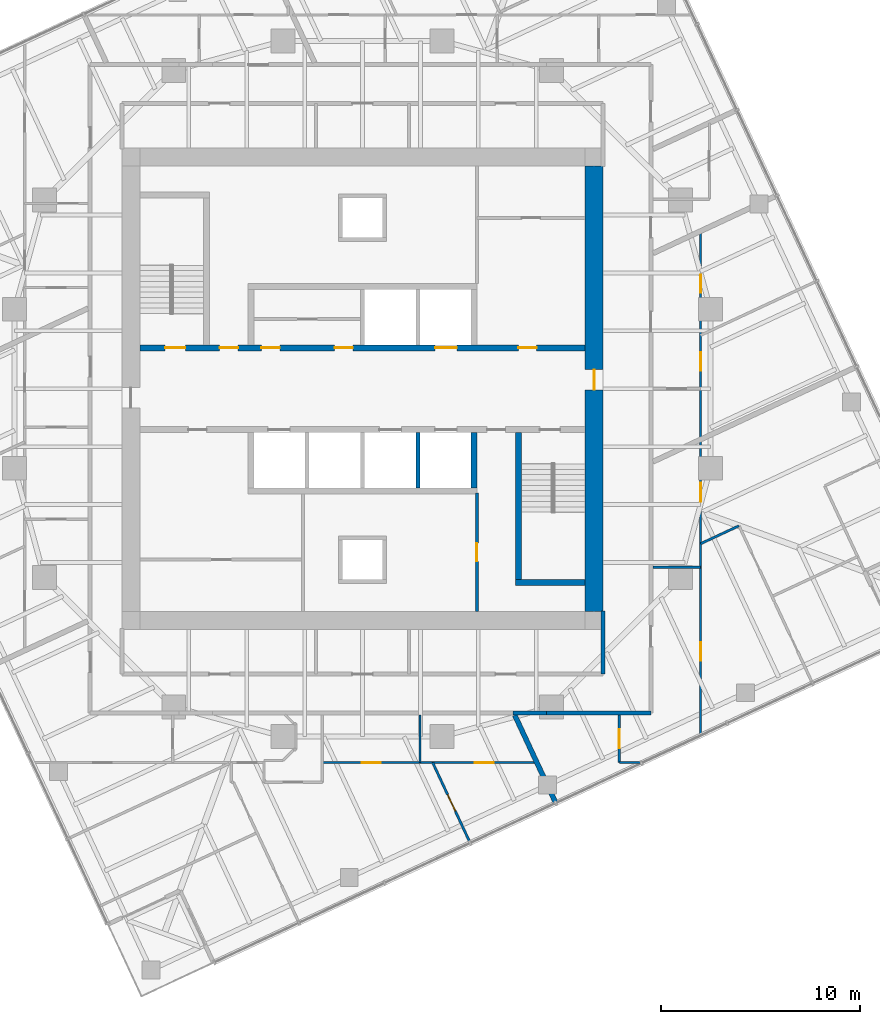
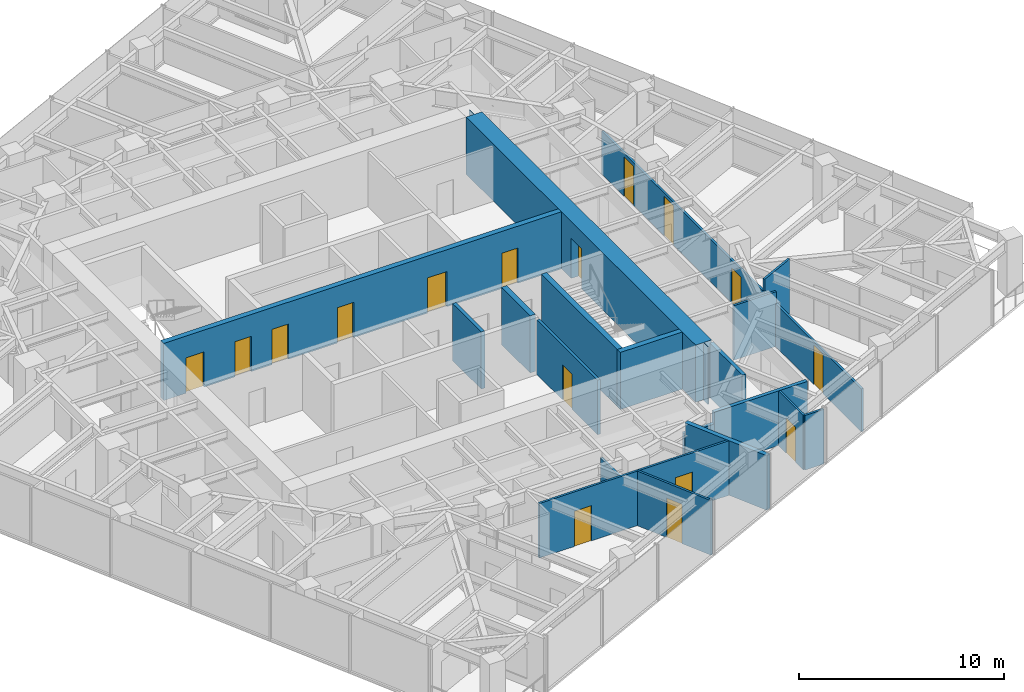
# One storey, part 9 of 13: 19 walls, 16 doors, 16 openings.
"""IFC4 building model written with IfcOpenShell, lengths in metres."""

from ifc_helpers import new_model, si_unit, direction, frame, frame_2d, origin, place, context, subcontext, project, spatial, polyline, rectangle, outline, extrude, material, layer, layer_set, type_object, element, fill, save


model = new_model("IFC4")

# Units and contexts
model_context = context("Model", 3, precision=1e-05, world=origin(), true_north=direction((0.0, 1.0)))
body_context = subcontext(model_context, "Body", "Model", "MODEL_VIEW")
ifc_project = project(units=[si_unit("LENGTHUNIT", "METRE"), si_unit("AREAUNIT", "SQUARE_METRE"), si_unit("VOLUMEUNIT", "CUBIC_METRE"), si_unit("PLANEANGLEUNIT", "RADIAN"), si_unit("MASSUNIT", "GRAM", prefix="KILO")], contexts=[model_context])

# Site, building, storey
site_placement = place(None, origin())
site = spatial("IfcSite", under=ifc_project, at=site_placement, CompositionType="ELEMENT")
building_placement = place(site_placement, origin())
building = spatial("IfcBuilding", under=site, at=building_placement, Name="Torsade Residences", CompositionType="ELEMENT")
storey_placement = place(building_placement, frame((0.0, 0.0, 179.39990234375)))
storey = spatial("IfcBuildingStorey", under=building, at=storey_placement, Name="L49", CompositionType="ELEMENT", Elevation=179.39990234375)

# Wall, openings, doors
ifc_material_1 = material(Name="Concrete 80 MPa", Category="concrete")
ifc_layer_1 = layer(ifc_material_1, 0.300048828125)
ifc_layer_set_1 = layer_set([ifc_layer_1], Name="Concrete 80 MPa")
wall_type_1 = type_object("IfcWallType", Name="CORE INTERNAL WALL 300", PredefinedType="SHEAR", material=ifc_layer_set_1)
wall_1_placement = place(storey_placement, frame((28.800048828125, 32.050048828125, 0.0), z_axis=(0.0, 0.0, 1.0), x_axis=(1.0, 0.0, 0.0)))
wall_1 = element("IfcWall", 1, at=wall_1_placement, inside=storey, type_object=wall_type_1, Name="Core wall LN L49", PredefinedType="SHEAR", context=body_context, shape_type="SweptSolid", body=[
    extrude(rectangle(XDim=22.39990234375, YDim=0.300048828125, at=frame_2d((11.199951171875, 0.0))), origin(), (0.0, 0.0, 1.0), 3.400146484375),
])
opening_1_placement = place(wall_1_placement, frame((19.0400390625, 0.0, 0.0)))
opening_1 = element("IfcOpeningElement", 2, at=opening_1_placement, cuts=wall_1, Name="Opening D06", PredefinedType="OPENING", context=body_context, shape_type="SweptSolid", body=[
    extrude(rectangle(XDim=0.919921875, YDim=2.10009765625, at=frame_2d((0.4599609375, 1.050048828125))), frame((0.0, 0.159912109375, 0.0), z_axis=(0.0, -1.0, 0.0), x_axis=(1.0, 0.0, 0.0)), (0.0, 0.0, 1.0), 0.320068359375),
])
opening_2_placement = place(wall_1_placement, frame((1.264892578125, 0.0, 0.0)))
opening_2 = element("IfcOpeningElement", 3, at=opening_2_placement, cuts=wall_1, Name="Opening D03", PredefinedType="OPENING", context=body_context, shape_type="SweptSolid", body=[
    extrude(rectangle(XDim=1.02001953125, YDim=2.10009765625, at=frame_2d((0.510009765625, 1.050048828125))), frame((0.0, 0.159912109375, 0.0), z_axis=(0.0, -1.0, 0.0), x_axis=(1.0, 0.0, 0.0)), (0.0, 0.0, 1.0), 0.320068359375),
])
opening_3_placement = place(wall_1_placement, frame((4.014892578125, 0.0, 0.0)))
opening_3 = element("IfcOpeningElement", 4, at=opening_3_placement, cuts=wall_1, Name="Opening D06", PredefinedType="OPENING", context=body_context, shape_type="SweptSolid", body=[
    extrude(rectangle(XDim=0.919921875, YDim=2.10009765625, at=frame_2d((0.4599609375, 1.050048828125))), frame((0.0, 0.159912109375, 0.0), z_axis=(0.0, -1.0, 0.0), x_axis=(1.0, 0.0, 0.0)), (0.0, 0.0, 1.0), 0.320068359375),
])
opening_4_placement = place(wall_1_placement, frame((6.114990234375, 0.0, 0.0)))
opening_4 = element("IfcOpeningElement", 5, at=opening_4_placement, cuts=wall_1, Name="Opening D06", PredefinedType="OPENING", context=body_context, shape_type="SweptSolid", body=[
    extrude(rectangle(XDim=0.919921875, YDim=2.10009765625, at=frame_2d((0.4599609375, 1.050048828125))), frame((0.0, 0.159912109375, 0.0), z_axis=(0.0, -1.0, 0.0), x_axis=(1.0, 0.0, 0.0)), (0.0, 0.0, 1.0), 0.320068359375),
])
opening_5_placement = place(wall_1_placement, frame((9.7900390625, 0.0, 0.0)))
opening_5 = element("IfcOpeningElement", 6, at=opening_5_placement, cuts=wall_1, Name="Opening D06", PredefinedType="OPENING", context=body_context, shape_type="SweptSolid", body=[
    extrude(rectangle(XDim=0.919921875, YDim=2.10009765625, at=frame_2d((0.4599609375, 1.050048828125))), frame((0.0, 0.159912109375, 0.0), z_axis=(0.0, -1.0, 0.0), x_axis=(1.0, 0.0, 0.0)), (0.0, 0.0, 1.0), 0.320068359375),
])
opening_6_placement = place(wall_1_placement, frame((14.85009765625, 0.0, 0.0)))
opening_6 = element("IfcOpeningElement", 7, at=opening_6_placement, cuts=wall_1, Name="Opening LD", PredefinedType="OPENING", context=body_context, shape_type="SweptSolid", body=[
    extrude(rectangle(XDim=1.10009765625, YDim=2.10009765625, at=frame_2d((0.550048828125, 1.050048828125))), frame((0.0, 0.159912109375, 0.0), z_axis=(0.0, -1.0, 0.0), x_axis=(1.0, 0.0, 0.0)), (0.0, 0.0, 1.0), 0.320068359375),
])
ifc_material_2 = material(Name="Steel-framed fire door", Category="steel")
door_type_1 = type_object("IfcDoorType", Name="FIRE DOOR 1020", OperationType="NOTDEFINED", PredefinedType="DOOR", material=ifc_material_2)
door_1_placement = place(opening_2_placement, origin())
door_1 = element("IfcDoor", 8, at=door_1_placement, inside=storey, type_object=door_type_1, Name="Exit door to fire-isolated stair ST1 L49", OperationType="SINGLE_SWING_RIGHT", OverallHeight=2.10009765625, OverallWidth=1.02001953125, PredefinedType="DOOR", context=body_context, shape_type="SweptSolid", body=[
    extrude(rectangle(XDim=1.02001953125, YDim=2.10009765625, at=frame_2d((0.510009765625, 1.050048828125))), frame((0.0, 0.02490234375, 0.0), z_axis=(0.0, -1.0, 0.0), x_axis=(1.0, 0.0, 0.0)), (0.0, 0.0, 1.0), 0.050048828125),
])
fill(opening_2, door_1)
ifc_material_3 = material(Name="Steel-framed fire door", Category="steel")
door_type_2 = type_object("IfcDoorType", Name="FIRE DOOR 920", OperationType="NOTDEFINED", PredefinedType="DOOR", material=ifc_material_3)
door_2_placement = place(opening_1_placement, origin())
door_2 = element("IfcDoor", 9, at=door_2_placement, inside=storey, type_object=door_type_2, Name="Door Lift lobby to Refuse room", OperationType="SINGLE_SWING_LEFT", OverallHeight=2.10009765625, OverallWidth=0.919921875, PredefinedType="DOOR", context=body_context, shape_type="SweptSolid", body=[
    extrude(rectangle(XDim=0.919921875, YDim=2.10009765625, at=frame_2d((0.4599609375, 1.050048828125))), frame((0.0, 0.02490234375, 0.0), z_axis=(0.0, -1.0, 0.0), x_axis=(1.0, 0.0, 0.0)), (0.0, 0.0, 1.0), 0.050048828125),
])
fill(opening_1, door_2)
door_3_placement = place(opening_3_placement, origin())
door_3 = element("IfcDoor", 10, at=door_3_placement, inside=storey, type_object=door_type_2, Name="Door Lift lobby to Electrical riser room", OperationType="SINGLE_SWING_LEFT", OverallHeight=2.10009765625, OverallWidth=0.919921875, PredefinedType="DOOR", context=body_context, shape_type="SweptSolid", body=[
    extrude(rectangle(XDim=0.919921875, YDim=2.10009765625, at=frame_2d((0.4599609375, 1.050048828125))), frame((0.0, 0.02490234375, 0.0), z_axis=(0.0, -1.0, 0.0), x_axis=(1.0, 0.0, 0.0)), (0.0, 0.0, 1.0), 0.050048828125),
])
fill(opening_3, door_3)
door_4_placement = place(opening_4_placement, origin())
door_4 = element("IfcDoor", 11, at=door_4_placement, inside=storey, type_object=door_type_2, Name="Door Lift lobby to Residents storage L49A", OperationType="SINGLE_SWING_LEFT", OverallHeight=2.10009765625, OverallWidth=0.919921875, PredefinedType="DOOR", context=body_context, shape_type="SweptSolid", body=[
    extrude(rectangle(XDim=0.919921875, YDim=2.10009765625, at=frame_2d((0.4599609375, 1.050048828125))), frame((0.0, 0.02490234375, 0.0), z_axis=(0.0, -1.0, 0.0), x_axis=(1.0, 0.0, 0.0)), (0.0, 0.0, 1.0), 0.050048828125),
])
fill(opening_4, door_4)
door_5_placement = place(opening_5_placement, origin())
door_5 = element("IfcDoor", 12, at=door_5_placement, inside=storey, type_object=door_type_2, Name="Door Lift lobby to Residents storage L49A", OperationType="SINGLE_SWING_RIGHT", OverallHeight=2.10009765625, OverallWidth=0.919921875, PredefinedType="DOOR", context=body_context, shape_type="SweptSolid", body=[
    extrude(rectangle(XDim=0.919921875, YDim=2.10009765625, at=frame_2d((0.4599609375, 1.050048828125))), frame((0.0, 0.02490234375, 0.0), z_axis=(0.0, -1.0, 0.0), x_axis=(1.0, 0.0, 0.0)), (0.0, 0.0, 1.0), 0.050048828125),
])
fill(opening_5, door_5)
ifc_material_4 = material(Name="Stainless steel lift landing door", Category="steel")
door_type_3 = type_object("IfcDoorType", Name="LIFT LANDING DOOR 1100", OperationType="SLIDING_TO_LEFT", PredefinedType="DOOR", material=ifc_material_4)
door_6_placement = place(opening_6_placement, origin())
door_6 = element("IfcDoor", 13, at=door_6_placement, inside=storey, type_object=door_type_3, Name="Lift FL1 landing door L49", OperationType="SLIDING_TO_LEFT", OverallHeight=2.10009765625, OverallWidth=1.10009765625, PredefinedType="DOOR", context=body_context, shape_type="SweptSolid", body=[
    extrude(rectangle(XDim=1.10009765625, YDim=2.10009765625, at=frame_2d((0.550048828125, 1.050048828125))), frame((0.0, 0.02490234375, 0.0), z_axis=(0.0, -1.0, 0.0), x_axis=(1.0, 0.0, 0.0)), (0.0, 0.0, 1.0), 0.050048828125),
])
fill(opening_6, door_6)

# Walls
wall_2_placement = place(storey_placement, frame((45.60009765625, 27.800048828125, 0.0), z_axis=(0.0, 0.0, 1.0), x_axis=(0.0, -1.0, 0.0)))
element("IfcWall", 14, at=wall_2_placement, inside=storey, type_object=wall_type_1, Name="Core wall DS0 L49", PredefinedType="SHEAR", context=body_context, shape_type="SweptSolid", body=[
    extrude(rectangle(XDim=2.800048828125, YDim=0.300048828125, at=frame_2d((1.39990234375, 0.0))), origin(), (0.0, 0.0, 1.0), 3.400146484375),
])
wall_3_placement = place(storey_placement, frame((47.85009765625, 27.800048828125, 0.0), z_axis=(0.0, 0.0, 1.0), x_axis=(0.0, -1.0, 0.0)))
element("IfcWall", 15, at=wall_3_placement, inside=storey, type_object=wall_type_1, Name="Core wall ST2W L49", PredefinedType="SHEAR", context=body_context, shape_type="SweptSolid", body=[
    extrude(rectangle(XDim=7.699951171875, YDim=0.300048828125, at=frame_2d((3.85009765625, 0.0))), origin(), (0.0, 0.0, 1.0), 3.400146484375),
])
wall_4_placement = place(storey_placement, frame((51.199951171875, 20.25, 0.0), z_axis=(0.0, 0.0, 1.0), x_axis=(-1.0, 0.0, 0.0)))
element("IfcWall", 16, at=wall_4_placement, inside=storey, type_object=wall_type_1, Name="Core wall ST2S L49", PredefinedType="SHEAR", context=body_context, shape_type="SweptSolid", body=[
    extrude(rectangle(XDim=3.5, YDim=0.300048828125, at=frame_2d((1.75, 0.0))), origin(), (0.0, 0.0, 1.0), 3.400146484375),
])

# Wall, opening, door
ifc_material_5 = material(Name="Concrete 80 MPa", Category="concrete")
ifc_layer_2 = layer(ifc_material_5, 0.89990234375)
ifc_layer_set_2 = layer_set([ifc_layer_2], Name="Concrete 80 MPa")
wall_type_2 = type_object("IfcWallType", Name="CORE WALL 900", PredefinedType="SHEAR", material=ifc_layer_set_2)
wall_5_placement = place(storey_placement, frame((51.64990234375, 18.800048828125, 0.0), z_axis=(0.0, 0.0, 1.0), x_axis=(0.0, 1.0, 0.0)))
wall_5 = element("IfcWall", 17, at=wall_5_placement, inside=storey, type_object=wall_type_2, Name="Core wall E L49", PredefinedType="SHEAR", context=body_context, shape_type="SweptSolid", body=[
    extrude(outline(polyline([(0.0, -0.449951171875), (22.39990234375, -0.449951171875), (22.39990234375, -0.02490234375), (22.849853515625, -0.02490234375), (22.849853515625, 0.02490234375), (22.39990234375, 0.02490234375), (22.39990234375, 0.449951171875), (0.0, 0.449951171875), (0.0, 0.02490234375), (-0.449951171875, 0.02490234375), (-0.449951171875, -0.02490234375), (0.0, -0.02490234375), (0.0, -0.449951171875)])), origin(), (0.0, 0.0, 1.0), 3.400146484375),
])
opening_7_placement = place(wall_5_placement, frame((11.139892578125, 0.0, 0.0)))
opening_7 = element("IfcOpeningElement", 18, at=opening_7_placement, cuts=wall_5, Name="Opening D04", PredefinedType="OPENING", context=body_context, shape_type="SweptSolid", body=[
    extrude(rectangle(XDim=1.02001953125, YDim=2.39990234375, at=frame_2d((0.510009765625, 1.199951171875))), frame((0.0, 0.4599609375, 0.0), z_axis=(0.0, -1.0, 0.0), x_axis=(1.0, 0.0, 0.0)), (0.0, 0.0, 1.0), 0.919921875),
])
ifc_material_6 = material(Name="Steel-framed fire door", Category="steel")
door_type_4 = type_object("IfcDoorType", Name="LOBBY SMOKE DOOR 1020x2400", OperationType="NOTDEFINED", PredefinedType="DOOR", material=ifc_material_6)
door_7_placement = place(opening_7_placement, origin())
door_7 = element("IfcDoor", 19, at=door_7_placement, inside=storey, type_object=door_type_4, Name="Lift lobby door E L49", OperationType="SINGLE_SWING_LEFT", OverallHeight=2.39990234375, OverallWidth=1.02001953125, PredefinedType="DOOR", context=body_context, shape_type="SweptSolid", body=[
    extrude(rectangle(XDim=1.02001953125, YDim=2.39990234375, at=frame_2d((0.510009765625, 1.199951171875))), frame((0.0, 0.02490234375, 0.0), z_axis=(0.0, -1.0, 0.0), x_axis=(1.0, 0.0, 0.0)), (0.0, 0.0, 1.0), 0.050048828125),
])
fill(opening_7, door_7)

# Walls
ifc_material_7 = material(Name="Plasterboard on steel stud", Category="steel")
ifc_layer_3 = layer(ifc_material_7, 0.199951171875)
ifc_layer_set_3 = layer_set([ifc_layer_3], Name="Plasterboard on steel stud")
wall_type_3 = type_object("IfcWallType", Name="CORRIDOR WALL 200", PredefinedType="PARTITIONING", material=ifc_layer_set_3)
wall_6_placement = place(storey_placement, frame((47.558349609375, 13.699951171875, 0.0), z_axis=(0.0, 0.0, 1.0), x_axis=(1.0, 0.0, 0.0)))
element("IfcWall", 20, at=wall_6_placement, inside=storey, type_object=wall_type_3, Name="Corridor wall L49", PredefinedType="PARTITIONING", context=body_context, shape_type="SweptSolid", body=[
    extrude(rectangle(XDim=1.683349609375, YDim=0.199951171875, at=frame_2d((0.841796875, 0.0))), origin(), (0.0, 0.0, 1.0), 2.550048828125),
])
wall_7_placement = place(storey_placement, frame((49.24169921875, 13.699951171875, 0.0), z_axis=(0.0, 0.0, 1.0), x_axis=(1.0, 0.0, 0.0)))
element("IfcWall", 21, at=wall_7_placement, inside=storey, type_object=wall_type_3, Name="Corridor wall L49", PredefinedType="PARTITIONING", context=body_context, shape_type="SweptSolid", body=[
    extrude(rectangle(XDim=5.25830078125, YDim=0.199951171875, at=frame_2d((2.629150390625, 0.0))), origin(), (0.0, 0.0, 1.0), 3.25),
])
wall_8_placement = place(storey_placement, frame((52.10009765625, 15.64990234375, 0.0), z_axis=(0.0, 0.0, 1.0), x_axis=(0.0, 1.0, 0.0)))
element("IfcWall", 22, at=wall_8_placement, inside=storey, type_object=wall_type_3, Name="Corridor wall L49", PredefinedType="PARTITIONING", context=body_context, shape_type="SweptSolid", body=[
    extrude(rectangle(XDim=3.170166015625, YDim=0.199951171875, at=frame_2d((1.5849609375, 0.0))), origin(), (0.0, 0.0, 1.0), 3.25),
])
ifc_material_8 = material(Name="Reinforced blockwork", Category="masonry")
ifc_layer_4 = layer(ifc_material_8, 0.199951171875)
ifc_layer_set_4 = layer_set([ifc_layer_4], Name="Reinforced blockwork")
wall_type_4 = type_object("IfcWallType", Name="LIFT SHAFT DIVIDING WALL 200", PredefinedType="SOLIDWALL", material=ifc_layer_set_4)
wall_9_placement = place(storey_placement, frame((42.800048828125, 27.800048828125, 0.0), z_axis=(0.0, 0.0, 1.0), x_axis=(0.0, -1.0, 0.0)))
element("IfcWall", 23, at=wall_9_placement, inside=storey, type_object=wall_type_4, Name="Core wall DS1 L49", PredefinedType="SOLIDWALL", context=body_context, shape_type="SweptSolid", body=[
    extrude(rectangle(XDim=2.800048828125, YDim=0.199951171875, at=frame_2d((1.39990234375, 0.0))), origin(), (0.0, 0.0, 1.0), 3.400146484375),
])
ifc_material_9 = material(Name="Plasterboard on steel stud", Category="steel")
ifc_layer_5 = layer(ifc_material_9, 0.1201171875)
ifc_layer_set_5 = layer_set([ifc_layer_5], Name="Plasterboard on steel stud")
wall_type_5 = type_object("IfcWallType", Name="PARTITION 120", PredefinedType="PARTITIONING", material=ifc_layer_set_5)
wall_10_placement = place(storey_placement, frame((42.8916015625, 13.60009765625, 0.0), z_axis=(0.0, 0.0, 1.0), x_axis=(0.0, -1.0, 0.0)))
element("IfcWall", 24, at=wall_10_placement, inside=storey, type_object=wall_type_5, Name="Partition L49", PredefinedType="PARTITIONING", context=body_context, shape_type="SweptSolid", body=[
    extrude(rectangle(XDim=2.400146484375, YDim=0.1201171875, at=frame_2d((1.2001953125, 0.0))), origin(), (0.0, 0.0, 1.0), 2.796142578125),
])

# Wall, openings, doors
wall_11_placement = place(storey_placement, frame((48.7666015625, 11.199951171875, 0.0), z_axis=(0.0, 0.0, 1.0), x_axis=(-1.0, 0.0, 0.0)))
wall_11 = element("IfcWall", 25, at=wall_11_placement, inside=storey, type_object=wall_type_5, Name="Partition L49", PredefinedType="PARTITIONING", context=body_context, shape_type="SweptSolid", body=[
    extrude(rectangle(XDim=10.792724609375, YDim=0.1201171875, at=frame_2d((5.396484375, 0.0))), origin(), (0.0, 0.0, 1.0), 3.25),
])
opening_8_placement = place(wall_11_placement, frame((7.853759765625, 0.0, 0.0)))
opening_8 = element("IfcOpeningElement", 26, at=opening_8_placement, cuts=wall_11, Name="Opening D05", PredefinedType="OPENING", context=body_context, shape_type="SweptSolid", body=[
    extrude(rectangle(XDim=0.9599609375, YDim=2.10009765625, at=frame_2d((0.47998046875, 1.050048828125))), frame((0.0, 0.070068359375, 0.0), z_axis=(0.0, -1.0, 0.0), x_axis=(1.0, 0.0, 0.0)), (0.0, 0.0, 1.0), 0.14013671875),
])
opening_9_placement = place(wall_11_placement, frame((2.16796875, 0.0, 0.0)))
opening_9 = element("IfcOpeningElement", 27, at=opening_9_placement, cuts=wall_11, Name="Opening D05", PredefinedType="OPENING", context=body_context, shape_type="SweptSolid", body=[
    extrude(rectangle(XDim=0.9599609375, YDim=2.10009765625, at=frame_2d((0.47998046875, 1.050048828125))), frame((0.0, 0.070068359375, 0.0), z_axis=(0.0, -1.0, 0.0), x_axis=(1.0, 0.0, 0.0)), (0.0, 0.0, 1.0), 0.14013671875),
])
ifc_material_10 = material(Name="Hollow-core timber door in a steel cavity frame", Category="steel")
door_type_5 = type_object("IfcDoorType", Name="BATHROOM CAVITY SLIDING DOOR 960", OperationType="SLIDING_TO_LEFT", PredefinedType="DOOR", material=ifc_material_10)
door_8_placement = place(opening_8_placement, origin())
door_8 = element("IfcDoor", 28, at=door_8_placement, inside=storey, type_object=door_type_5, Name="Door Living room to Bathroom", OperationType="SLIDING_TO_LEFT", OverallHeight=2.10009765625, OverallWidth=0.9599609375, PredefinedType="DOOR", context=body_context, shape_type="SweptSolid", body=[
    extrude(rectangle(XDim=0.9599609375, YDim=2.10009765625, at=frame_2d((0.47998046875, 1.050048828125))), frame((0.0, 0.02490234375, 0.0), z_axis=(0.0, -1.0, 0.0), x_axis=(1.0, 0.0, 0.0)), (0.0, 0.0, 1.0), 0.050048828125),
])
fill(opening_8, door_8)
door_9_placement = place(opening_9_placement, origin())
door_9 = element("IfcDoor", 29, at=door_9_placement, inside=storey, type_object=door_type_5, Name="Door Study 2 to Ensuite", OperationType="SLIDING_TO_LEFT", OverallHeight=2.10009765625, OverallWidth=0.9599609375, PredefinedType="DOOR", context=body_context, shape_type="SweptSolid", body=[
    extrude(rectangle(XDim=0.9599609375, YDim=2.10009765625, at=frame_2d((0.47998046875, 1.050048828125))), frame((0.0, 0.02490234375, 0.0), z_axis=(0.0, -1.0, 0.0), x_axis=(1.0, 0.0, 0.0)), (0.0, 0.0, 1.0), 0.050048828125),
])
fill(opening_9, door_9)

# Wall, opening, door
wall_12_placement = place(storey_placement, frame((43.525634765625, 11.199951171875, 0.0), z_axis=(0.0, 0.0, 1.0), x_axis=(0.422629078519, -0.906302743011, 0.0)))
wall_12 = element("IfcWall", 30, at=wall_12_placement, inside=storey, type_object=wall_type_5, Name="Partition L49", PredefinedType="PARTITIONING", context=body_context, shape_type="SweptSolid", body=[
    extrude(rectangle(XDim=4.431396484375, YDim=0.1201171875, at=frame_2d((2.2158203125, 0.0))), origin(), (0.0, 0.0, 1.0), 3.25),
])
opening_10_placement = place(wall_12_placement, frame((1.775634765625, 0.0, 0.0)))
opening_10 = element("IfcOpeningElement", 31, at=opening_10_placement, cuts=wall_12, Name="Opening D02", PredefinedType="OPENING", context=body_context, shape_type="SweptSolid", body=[
    extrude(rectangle(XDim=0.919921875, YDim=2.340087890625, at=frame_2d((0.4599609375, 1.169921875))), frame((0.0, 0.070068359375, 0.0), z_axis=(0.0, -1.0, 0.0), x_axis=(1.0, 0.0, 0.0)), (0.0, 0.0, 1.0), 0.14013671875),
])
ifc_material_11 = material(Name="Hollow-core timber door", Category="wood")
door_type_6 = type_object("IfcDoorType", Name="INTERNAL DOOR 920x2340", OperationType="NOTDEFINED", PredefinedType="DOOR", material=ifc_material_11)
door_10_placement = place(opening_10_placement, origin())
door_10 = element("IfcDoor", 32, at=door_10_placement, inside=storey, type_object=door_type_6, Name="Door Living room to Study 2", OperationType="SINGLE_SWING_LEFT", OverallHeight=2.340087890625, OverallWidth=0.919921875, PredefinedType="DOOR", context=body_context, shape_type="SweptSolid", body=[
    extrude(rectangle(XDim=0.919921875, YDim=2.340087890625, at=frame_2d((0.4599609375, 1.169921875))), frame((0.0, 0.02490234375, 0.0), z_axis=(0.0, -1.0, 0.0), x_axis=(1.0, 0.0, 0.0)), (0.0, 0.0, 1.0), 0.050048828125),
])
fill(opening_10, door_10)

# Walls
wall_13_placement = place(storey_placement, frame((54.60009765625, 21.022705078125, 0.0), z_axis=(0.0, 0.0, 1.0), x_axis=(1.0, 0.0, 0.0)))
element("IfcWall", 33, at=wall_13_placement, inside=storey, type_object=wall_type_5, Name="Partition L49", PredefinedType="PARTITIONING", context=body_context, shape_type="SweptSolid", body=[
    extrude(rectangle(XDim=2.39990234375, YDim=0.1201171875, at=frame_2d((1.199951171875, 0.0))), origin(), (0.0, 0.0, 1.0), 3.25),
])
wall_14_placement = place(storey_placement, frame((54.01123046875, 11.199951171875, 0.0), z_axis=(0.0, 0.0, 1.0), x_axis=(-1.0, 0.0, 0.0)))
element("IfcWall", 34, at=wall_14_placement, inside=storey, type_object=wall_type_5, Name="Partition L49", PredefinedType="PARTITIONING", context=body_context, shape_type="SweptSolid", body=[
    extrude(rectangle(XDim=1.093994140625, YDim=0.1201171875, at=frame_2d((0.546875, 0.0))), origin(), (0.0, 0.0, 1.0), 3.25),
])

# Wall, opening, door
wall_15_placement = place(storey_placement, frame((52.917236328125, 11.199951171875, 0.0), z_axis=(0.0, 0.0, 1.0), x_axis=(0.0, 1.0, 0.0)))
wall_15 = element("IfcWall", 35, at=wall_15_placement, inside=storey, type_object=wall_type_5, Name="Partition L49", PredefinedType="PARTITIONING", context=body_context, shape_type="SweptSolid", body=[
    extrude(rectangle(XDim=2.400146484375, YDim=0.1201171875, at=frame_2d((1.2001953125, 0.0))), origin(), (0.0, 0.0, 1.0), 3.25),
])
opening_11_placement = place(wall_15_placement, frame((0.719970703125, 0.0, 0.0)))
opening_11 = element("IfcOpeningElement", 36, at=opening_11_placement, cuts=wall_15, Name="Opening D05", PredefinedType="OPENING", context=body_context, shape_type="SweptSolid", body=[
    extrude(rectangle(XDim=0.9599609375, YDim=2.10009765625, at=frame_2d((0.47998046875, 1.050048828125))), frame((0.0, 0.070068359375, 0.0), z_axis=(0.0, -1.0, 0.0), x_axis=(1.0, 0.0, 0.0)), (0.0, 0.0, 1.0), 0.14013671875),
])
door_11_placement = place(opening_11_placement, origin())
door_11 = element("IfcDoor", 37, at=door_11_placement, inside=storey, type_object=door_type_5, Name="Door Kitchen and dining to Ensuite", OperationType="SLIDING_TO_LEFT", OverallHeight=2.10009765625, OverallWidth=0.9599609375, PredefinedType="DOOR", context=body_context, shape_type="SweptSolid", body=[
    extrude(rectangle(XDim=0.9599609375, YDim=2.10009765625, at=frame_2d((0.47998046875, 1.050048828125))), frame((0.0, 0.02490234375, 0.0), z_axis=(0.0, -1.0, 0.0), x_axis=(1.0, 0.0, 0.0)), (0.0, 0.0, 1.0), 0.050048828125),
])
fill(opening_11, door_11)

# Wall, openings, doors
wall_16_placement = place(storey_placement, frame((57.0, 37.92724609375, 0.0), z_axis=(0.0, 0.0, 1.0), x_axis=(0.0, -1.0, 0.0)))
wall_16 = element("IfcWall", 38, at=wall_16_placement, inside=storey, type_object=wall_type_5, Name="Partition L49", PredefinedType="PARTITIONING", context=body_context, shape_type="SweptSolid", body=[
    extrude(rectangle(XDim=25.33349609375, YDim=0.1201171875, at=frame_2d((12.666748046875, 0.0))), origin(), (0.0, 0.0, 1.0), 2.550048828125),
])
opening_12_placement = place(wall_16_placement, frame((20.68115234375, 0.0, 0.0)))
opening_12 = element("IfcOpeningElement", 39, at=opening_12_placement, cuts=wall_16, Name="Opening D02", PredefinedType="OPENING", context=body_context, shape_type="SweptSolid", body=[
    extrude(rectangle(XDim=0.919921875, YDim=2.340087890625, at=frame_2d((0.4599609375, 1.169921875))), frame((0.0, 0.070068359375, 0.0), z_axis=(0.0, -1.0, 0.0), x_axis=(1.0, 0.0, 0.0)), (0.0, 0.0, 1.0), 0.14013671875),
])
opening_13_placement = place(wall_16_placement, frame((2.18798828125, 0.0, 0.0)))
opening_13 = element("IfcOpeningElement", 40, at=opening_13_placement, cuts=wall_16, Name="Opening D02", PredefinedType="OPENING", context=body_context, shape_type="SweptSolid", body=[
    extrude(rectangle(XDim=0.919921875, YDim=2.340087890625, at=frame_2d((0.4599609375, 1.169921875))), frame((0.0, 0.070068359375, 0.0), z_axis=(0.0, -1.0, 0.0), x_axis=(1.0, 0.0, 0.0)), (0.0, 0.0, 1.0), 0.14013671875),
])
opening_14_placement = place(wall_16_placement, frame((6.09619140625, 0.0, 0.0)))
opening_14 = element("IfcOpeningElement", 41, at=opening_14_placement, cuts=wall_16, Name="Opening D02", PredefinedType="OPENING", context=body_context, shape_type="SweptSolid", body=[
    extrude(rectangle(XDim=0.919921875, YDim=2.340087890625, at=frame_2d((0.4599609375, 1.169921875))), frame((0.0, 0.070068359375, 0.0), z_axis=(0.0, -1.0, 0.0), x_axis=(1.0, 0.0, 0.0)), (0.0, 0.0, 1.0), 0.14013671875),
])
opening_15_placement = place(wall_16_placement, frame((12.650146484375, 0.0, 0.0)))
opening_15 = element("IfcOpeningElement", 42, at=opening_15_placement, cuts=wall_16, Name="Opening D05", PredefinedType="OPENING", context=body_context, shape_type="SweptSolid", body=[
    extrude(rectangle(XDim=0.9599609375, YDim=2.10009765625, at=frame_2d((0.47998046875, 1.050048828125))), frame((0.0, 0.070068359375, 0.0), z_axis=(0.0, -1.0, 0.0), x_axis=(1.0, 0.0, 0.0)), (0.0, 0.0, 1.0), 0.14013671875),
])
door_12_placement = place(opening_15_placement, origin())
door_12 = element("IfcDoor", 43, at=door_12_placement, inside=storey, type_object=door_type_5, Name="Door Living room to Bathroom", OperationType="SLIDING_TO_LEFT", OverallHeight=2.10009765625, OverallWidth=0.9599609375, PredefinedType="DOOR", context=body_context, shape_type="SweptSolid", body=[
    extrude(rectangle(XDim=0.9599609375, YDim=2.10009765625, at=frame_2d((0.47998046875, 1.050048828125))), frame((0.0, 0.02490234375, 0.0), z_axis=(0.0, -1.0, 0.0), x_axis=(1.0, 0.0, 0.0)), (0.0, 0.0, 1.0), 0.050048828125),
])
fill(opening_15, door_12)
door_13_placement = place(opening_12_placement, origin())
door_13 = element("IfcDoor", 44, at=door_13_placement, inside=storey, type_object=door_type_6, Name="Door Kitchen and dining to Bedroom 1", OperationType="SINGLE_SWING_RIGHT", OverallHeight=2.340087890625, OverallWidth=0.919921875, PredefinedType="DOOR", context=body_context, shape_type="SweptSolid", body=[
    extrude(rectangle(XDim=0.919921875, YDim=2.340087890625, at=frame_2d((0.4599609375, 1.169921875))), frame((0.0, 0.02490234375, 0.0), z_axis=(0.0, -1.0, 0.0), x_axis=(1.0, 0.0, 0.0)), (0.0, 0.0, 1.0), 0.050048828125),
])
fill(opening_12, door_13)
door_14_placement = place(opening_13_placement, origin())
door_14 = element("IfcDoor", 45, at=door_14_placement, inside=storey, type_object=door_type_6, Name="Door Kitchen and dining to Bedroom 1", OperationType="SINGLE_SWING_RIGHT", OverallHeight=2.340087890625, OverallWidth=0.919921875, PredefinedType="DOOR", context=body_context, shape_type="SweptSolid", body=[
    extrude(rectangle(XDim=0.919921875, YDim=2.340087890625, at=frame_2d((0.4599609375, 1.169921875))), frame((0.0, 0.02490234375, 0.0), z_axis=(0.0, -1.0, 0.0), x_axis=(1.0, 0.0, 0.0)), (0.0, 0.0, 1.0), 0.050048828125),
])
fill(opening_13, door_14)
door_15_placement = place(opening_14_placement, origin())
door_15 = element("IfcDoor", 46, at=door_15_placement, inside=storey, type_object=door_type_6, Name="Door Kitchen and dining to Living room", OperationType="SINGLE_SWING_LEFT", OverallHeight=2.340087890625, OverallWidth=0.919921875, PredefinedType="DOOR", context=body_context, shape_type="SweptSolid", body=[
    extrude(rectangle(XDim=0.919921875, YDim=2.340087890625, at=frame_2d((0.4599609375, 1.169921875))), frame((0.0, 0.02490234375, 0.0), z_axis=(0.0, -1.0, 0.0), x_axis=(1.0, 0.0, 0.0)), (0.0, 0.0, 1.0), 0.050048828125),
])
fill(opening_14, door_15)

# Walls
wall_17_placement = place(storey_placement, frame((58.92822265625, 23.103271484375, 0.0), z_axis=(0.0, 0.0, 1.0), x_axis=(-0.90630329877, -0.422627886727, 0.0)))
element("IfcWall", 47, at=wall_17_placement, inside=storey, type_object=wall_type_5, Name="Partition L49", PredefinedType="PARTITIONING", context=body_context, shape_type="SweptSolid", body=[
    extrude(rectangle(XDim=2.127685546875, YDim=0.1201171875, at=frame_2d((1.06396484375, 0.0))), origin(), (0.0, 0.0, 1.0), 3.25),
])
ifc_material_12 = material(Name="Masonry-lined stud party wall", Category="masonry")
ifc_layer_6 = layer(ifc_material_12, 0.25)
ifc_layer_set_6 = layer_set([ifc_layer_6], Name="Masonry-lined stud party wall")
wall_type_6 = type_object("IfcWallType", Name="PARTY WALL 250", PredefinedType="PARTITIONING", material=ifc_layer_set_6)
wall_18_placement = place(storey_placement, frame((49.72021484375, 9.155029296875, 0.0), z_axis=(0.0, 0.0, 1.0), x_axis=(-0.422603708115, 0.906314573362, 0.0)))
element("IfcWall", 48, at=wall_18_placement, inside=storey, type_object=wall_type_6, Name="Party wall L49", PredefinedType="PARTITIONING", context=body_context, shape_type="SweptSolid", body=[
    extrude(rectangle(XDim=4.88623046875, YDim=0.25, at=frame_2d((2.443115234375, 0.0))), origin(), (0.0, 0.0, 1.0), 3.25),
])

# Wall, opening, door
ifc_material_13 = material(Name="Reinforced blockwork", Category="masonry")
ifc_layer_7 = layer(ifc_material_13, 0.14990234375)
ifc_layer_set_7 = layer_set([ifc_layer_7], Name="Reinforced blockwork")
wall_type_7 = type_object("IfcWallType", Name="SERVICE ROOM WALL 150", PredefinedType="SOLIDWALL", material=ifc_layer_set_7)
wall_19_placement = place(storey_placement, frame((45.75, 18.800048828125, 0.0), z_axis=(0.0, 0.0, 1.0), x_axis=(0.0, 1.0, 0.0)))
wall_19 = element("IfcWall", 49, at=wall_19_placement, inside=storey, type_object=wall_type_7, Name="Service room wall L49", PredefinedType="SOLIDWALL", context=body_context, shape_type="SweptSolid", body=[
    extrude(rectangle(XDim=5.949951171875, YDim=0.14990234375, at=frame_2d((2.97509765625, 0.0))), origin(), (0.0, 0.0, 1.0), 3.25),
])
opening_16_placement = place(wall_19_placement, frame((2.514892578125, 0.0, 0.0)))
opening_16 = element("IfcOpeningElement", 50, at=opening_16_placement, cuts=wall_19, Name="Opening D06", PredefinedType="OPENING", context=body_context, shape_type="SweptSolid", body=[
    extrude(rectangle(XDim=0.919921875, YDim=2.10009765625, at=frame_2d((0.4599609375, 1.050048828125))), frame((0.0, 0.0849609375, 0.0), z_axis=(0.0, -1.0, 0.0), x_axis=(1.0, 0.0, 0.0)), (0.0, 0.0, 1.0), 0.169921875),
])
door_16_placement = place(opening_16_placement, origin())
door_16 = element("IfcDoor", 51, at=door_16_placement, inside=storey, type_object=door_type_2, Name="Door Communications equipment store to Communications riser room", OperationType="SINGLE_SWING_LEFT", OverallHeight=2.10009765625, OverallWidth=0.919921875, PredefinedType="DOOR", context=body_context, shape_type="SweptSolid", body=[
    extrude(rectangle(XDim=0.919921875, YDim=2.10009765625, at=frame_2d((0.4599609375, 1.050048828125))), frame((0.0, 0.02490234375, 0.0), z_axis=(0.0, -1.0, 0.0), x_axis=(1.0, 0.0, 0.0)), (0.0, 0.0, 1.0), 0.050048828125),
])
fill(opening_16, door_16)

save(model, "model.ifc")
